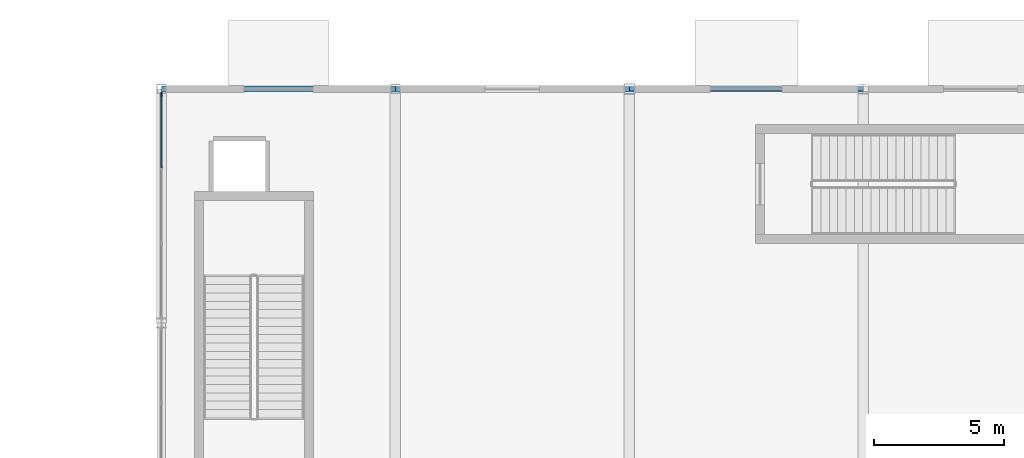
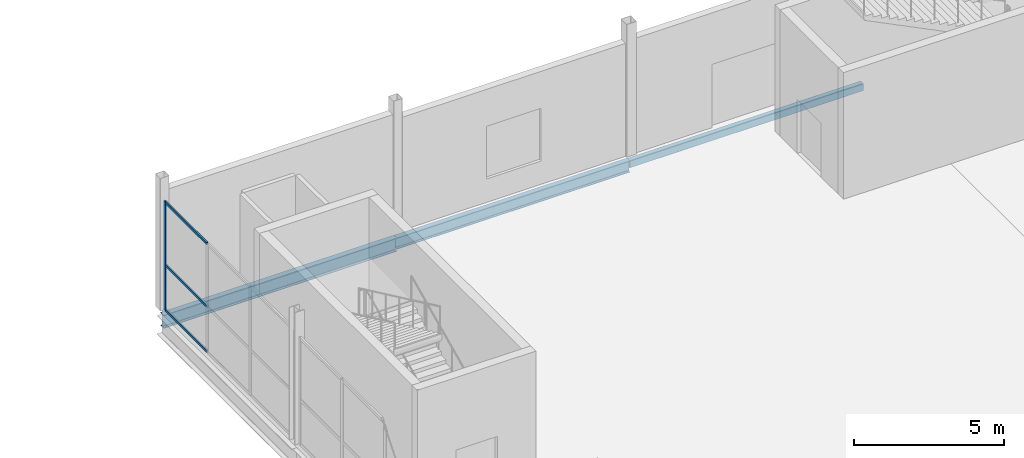
# One storey, part 41 of 94: 4 members, 3 beams, 1 element without a shape of its own.
"""IFC4 building model written with IfcOpenShell, lengths in metres."""

import ifcopenshell
import ifcopenshell.guid

model = None  # the IFC model being written
_history = None  # IfcOwnerHistory: only IFC2X3 demands one
_inside = {}  # id of a spatial element -> (the spatial element, [elements in it])
_under = {}  # id of a project, library or spatial element -> (it, [spatial elements below it])
_declared = {}  # id of a project -> (the project, [libraries it declares])
_typed = {}  # id of a type object -> (the type object, [elements of that type])
_made_of = {}  # id of a material, layer set ... -> (it, [elements and type objects made of it])


def new_model(schema):
    """Start an empty IFC model of exactly this schema.

    Asked for "IFC4X3", IfcOpenShell would pick the latest addendum, in which some entities
    have other attributes; the version numbers below select the first issue.
    IFC2X3 requires an IfcOwnerHistory on every rooted entity: one is made here for all.
    """
    global model, _history
    if schema == "IFC4X3":
        model = ifcopenshell.file(schema_version=(4, 3, 0, 0))
    else:
        model = ifcopenshell.file(schema=schema)
    _inside.clear()
    _under.clear()
    _declared.clear()
    _typed.clear()
    _made_of.clear()
    _history = None
    if model.schema == "IFC2X3":
        org = make("IfcOrganization", Name="unknown")
        user = make(
            "IfcPersonAndOrganization",
            ThePerson=make("IfcPerson", FamilyName="unknown"),
            TheOrganization=org,
        )
        app = make(
            "IfcApplication",
            ApplicationDeveloper=org,
            Version="unknown",
            ApplicationFullName="unknown",
            ApplicationIdentifier="unknown",
        )
        _history = make(
            "IfcOwnerHistory",
            OwningUser=user,
            OwningApplication=app,
            ChangeAction="ADDED",
            CreationDate=0,
        )
    return model


def make(cls, **values):
    """One entity of the class cls with the attributes given. An attribute that is None is left unset."""
    return model.create_entity(
        cls, **{name: value for name, value in values.items() if value is not None}
    )


def rooted(cls, **values):
    """An entity with a GlobalId (a new one), such as an element, a storey or a relation."""
    return make(cls, GlobalId=ifcopenshell.guid.new(), OwnerHistory=_history, **values)


def si_unit(unit_type, name, prefix=None):
    """IfcSIUnit, for example si_unit("LENGTHUNIT", "METRE", prefix="MILLI")."""
    return make("IfcSIUnit", UnitType=unit_type, Prefix=prefix, Name=name)


def assignment(units):
    """IfcUnitAssignment: the units of a project."""
    return None if units is None else make("IfcUnitAssignment", Units=units)


def point(xyz):
    """IfcCartesianPoint."""
    return None if xyz is None else make("IfcCartesianPoint", Coordinates=xyz)


def direction(xyz):
    """IfcDirection."""
    return None if xyz is None else make("IfcDirection", DirectionRatios=xyz)


def frame(location, z_axis=None, x_axis=None):
    """IfcAxis2Placement3D, a coordinate frame: its origin and axes. An axis left out is left unset."""
    return make(
        "IfcAxis2Placement3D",
        Location=point(location),
        Axis=direction(z_axis),
        RefDirection=direction(x_axis),
    )


def frame_2d(location, x_axis=None):
    """IfcAxis2Placement2D, a coordinate frame in the plane: its origin and x axis."""
    return make(
        "IfcAxis2Placement2D", Location=point(location), RefDirection=direction(x_axis)
    )


def origin():
    """The frame at (0, 0, 0) with its axes left unset."""
    return frame((0.0, 0.0, 0.0))


def origin_2d():
    """The frame at (0, 0) in the plane with its x axis left unset."""
    return frame_2d((0.0, 0.0))


def place(relative_to, where):
    """IfcLocalPlacement: puts the frame where relative to a parent placement (None: the world)."""
    return make(
        "IfcLocalPlacement", PlacementRelTo=relative_to, RelativePlacement=where
    )


def context(
    kind, dimensions, precision=None, world=None, true_north=None, identifier=None
):
    """IfcGeometricRepresentationContext, for example the 3D "Model" context."""
    return make(
        "IfcGeometricRepresentationContext",
        ContextIdentifier=identifier,
        ContextType=kind,
        CoordinateSpaceDimension=dimensions,
        Precision=precision,
        WorldCoordinateSystem=world,
        TrueNorth=true_north,
    )


def subcontext(parent, identifier, kind, view, scale=None):
    """IfcGeometricRepresentationSubContext, for example "Body" below "Model"."""
    return make(
        "IfcGeometricRepresentationSubContext",
        ContextIdentifier=identifier,
        ContextType=kind,
        ParentContext=parent,
        TargetScale=scale,
        TargetView=view,
    )


def project(units=None, contexts=None):
    """IfcProject with its units and contexts."""
    return rooted(
        "IfcProject",
        Name="project",
        RepresentationContexts=contexts,
        UnitsInContext=assignment(units),
    )


def spatial(cls, under=None, at=None, **own):
    """A site, building, storey or space (cls), placed at a placement, below another one or the project."""
    s = rooted(cls, ObjectPlacement=at, **own)
    if under is not None:
        _under.setdefault(under.id(), (under, []))[1].append(s)
    return s


def profile(cls, at=None, kind="AREA", **sizes):
    """A parametric profile (cls). Its sizes go by their IFC names, for example OverallWidth=200.0."""
    return make(cls, ProfileType=kind, Position=at, **sizes)


def rectangle(**sizes):
    """IfcRectangleProfileDef."""
    return profile("IfcRectangleProfileDef", **sizes)


def hollow_rectangle(**sizes):
    """IfcRectangleHollowProfileDef."""
    return profile("IfcRectangleHollowProfileDef", **sizes)


def i_section(**sizes):
    """IfcIShapeProfileDef."""
    return profile("IfcIShapeProfileDef", **sizes)


def extrude(swept, where, along, depth):
    """IfcExtrudedAreaSolid: the profile swept, set in the frame where, extruded along a direction by depth."""
    return make(
        "IfcExtrudedAreaSolid",
        SweptArea=swept,
        Position=where,
        ExtrudedDirection=direction(along),
        Depth=depth,
    )


def shape(context_of_items, identifier, shape_type, items):
    """IfcShapeRepresentation: the items that make up one representation, for example the "Body"."""
    return make(
        "IfcShapeRepresentation",
        ContextOfItems=context_of_items,
        RepresentationIdentifier=identifier,
        RepresentationType=shape_type,
        Items=items,
    )


def material(Name=None, Category=None):
    """IfcMaterial."""
    return make("IfcMaterial", Name=Name, Category=Category)


def layer(
    of_material, thickness, ventilated=None, Name=None, Category=None, Priority=None
):
    """IfcMaterialLayer: one layer of a wall or slab, of a material (None: an air gap)."""
    return make(
        "IfcMaterialLayer",
        Material=of_material,
        LayerThickness=thickness,
        IsVentilated=ventilated,
        Name=Name,
        Category=Category,
        Priority=Priority,
    )


def layer_set(layers, Name=None):
    """IfcMaterialLayerSet."""
    return make("IfcMaterialLayerSet", MaterialLayers=layers, LayerSetName=Name)


def material_profile(
    of_material, cross_section, Name=None, Category=None, Priority=None
):
    """IfcMaterialProfile: a cross section and its material."""
    return make(
        "IfcMaterialProfile",
        Name=Name,
        Material=of_material,
        Profile=cross_section,
        Priority=Priority,
        Category=Category,
    )


def profile_set(profiles, Name=None, composite=None):
    """IfcMaterialProfileSet."""
    return make(
        "IfcMaterialProfileSet",
        Name=Name,
        MaterialProfiles=profiles,
        CompositeProfile=composite,
    )


def made_of(thing, what):
    """Note that an element or type object is made of a material, layer set ...; save() writes the relation."""
    if what is not None:
        _made_of.setdefault(what.id(), (what, []))[1].append(thing)
    return thing


def type_object(cls, material=None, **own):
    """A type object (cls), such as IfcWallType, which elements share."""
    return made_of(rooted(cls, **own), material)


def element(
    cls,
    number,
    at=None,
    inside=None,
    cuts=None,
    type_object=None,
    material=None,
    context=None,
    identifier="Body",
    shape_type=None,
    held_by="IfcProductDefinitionShape",
    body=None,
    shapes=None,
    **own,
):
    """One element of the class cls, such as IfcWall. Its Tag is "e" and its number.

    at: its placement. inside: the storey or other place that contains it. cuts: it is an
    opening in that element (IfcRelVoidsElement). A single representation is given by context,
    identifier, shape_type and body (its items); several are given by shapes. held_by: the class
    of the entity that holds the representations. save() writes the other relations.
    """
    e = rooted(cls, Tag="e%d" % number, ObjectPlacement=at, **own)
    if body is not None:
        shapes = [shape(context, identifier, shape_type, body)]
    if shapes is not None:
        e.Representation = make(held_by, Representations=shapes)
    if inside is not None:
        _inside.setdefault(inside.id(), (inside, []))[1].append(e)
    if cuts is not None:
        rooted(
            "IfcRelVoidsElement", RelatingBuildingElement=cuts, RelatedOpeningElement=e
        )
    if type_object is not None:
        _typed.setdefault(type_object.id(), (type_object, []))[1].append(e)
    return made_of(e, material)


def aggregate(whole, parts):
    """IfcRelAggregates: a whole, such as a stair, and the parts it consists of."""
    return rooted("IfcRelAggregates", RelatingObject=whole, RelatedObjects=parts)


def save(model, path):
    """Write the relations noted so far, then the file.

    IfcRelAggregates (storeys below a building ...), IfcRelContainedInSpatialStructure (elements
    in a storey), IfcRelDefinesByType, IfcRelAssociatesMaterial and IfcRelDeclares: one each for
    every whole, place, type object, material and project.
    """
    for whole, parts in _under.values():
        aggregate(whole, parts)
    for where, things in _inside.values():
        rooted(
            "IfcRelContainedInSpatialStructure",
            RelatedElements=things,
            RelatingStructure=where,
        )
    for kind, things in _typed.values():
        rooted("IfcRelDefinesByType", RelatedObjects=things, RelatingType=kind)
    for what, things in _made_of.values():
        rooted("IfcRelAssociatesMaterial", RelatedObjects=things, RelatingMaterial=what)
    for by, libraries in _declared.values():
        rooted("IfcRelDeclares", RelatingContext=by, RelatedDefinitions=libraries)
    model.write(path)


model = new_model("IFC4")

# Units and contexts
model_context = context("Model", 3, precision=1e-05, world=origin(), true_north=direction((0.0, 1.0)))
body_context = subcontext(model_context, "Body", "Model", "MODEL_VIEW")
ifc_project = project(units=[si_unit("LENGTHUNIT", "METRE"), si_unit("AREAUNIT", "SQUARE_METRE"), si_unit("VOLUMEUNIT", "CUBIC_METRE"), si_unit("PLANEANGLEUNIT", "RADIAN"), si_unit("MASSUNIT", "GRAM", prefix="KILO")], contexts=[model_context])

# Site, building, storey
site_placement = place(None, origin())
site = spatial("IfcSite", under=ifc_project, at=site_placement, CompositionType="ELEMENT")
building_placement = place(site_placement, origin())
building = spatial("IfcBuilding", under=site, at=building_placement, Name="Qamarlyn Nura Convention Centre", CompositionType="ELEMENT")
storey_placement = place(building_placement, origin())
storey = spatial("IfcBuildingStorey", under=building, at=storey_placement, Name="L00", CompositionType="ELEMENT", Elevation=0.0)

# Beams
ifc_material_1 = material(Name="Steel ASTM A992", Category="steel")
ifc_material_profile_1 = material_profile(ifc_material_1, i_section(OverallWidth=0.193115234375, OverallDepth=0.466064453125, WebThickness=0.011474609375, FlangeThickness=0.01904296875, FilletRadius=0.012939453125, at=origin_2d()), Name="W460X97")
ifc_profile_set_1 = profile_set([ifc_material_profile_1], Name="Steel ASTM A992")
beam_type_1 = type_object("IfcBeamType", Name="BM-SPAN-460", PredefinedType="SPANDREL", material=ifc_profile_set_1)
beam_1_placement = place(storey_placement, frame((153.0, 126.0, -0.512939453125), z_axis=(1.0, 0.0, 0.0), x_axis=(0.0, 1.0, 0.0)))
element("IfcBeam", 1, at=beam_1_placement, inside=storey, type_object=beam_type_1, Name="L00 girder Q 13-14", PredefinedType="SPANDREL", context=body_context, shape_type="SweptSolid", body=[
    extrude(i_section(OverallWidth=0.193115234375, OverallDepth=0.466064453125, WebThickness=0.011474609375, FlangeThickness=0.01904296875, FilletRadius=0.012939453125, at=origin_2d()), origin(), (0.0, 0.0, 1.0), 9.0),
])
ifc_material_profile_2 = material_profile(ifc_material_1, i_section(OverallWidth=0.2109375, OverallDepth=0.5390625, WebThickness=0.01171875, FlangeThickness=0.018798828125, FilletRadius=0.013916015625, at=origin_2d()), Name="W530X109")
ifc_profile_set_2 = profile_set([ifc_material_profile_2], Name="Steel ASTM A992")
beam_type_2 = type_object("IfcBeamType", Name="BM-SPAN-530", PredefinedType="SPANDREL", material=ifc_profile_set_2)
beam_2_placement = place(storey_placement, frame((144.0, 126.0, -0.549560546875), z_axis=(1.0, 0.0, 0.0), x_axis=(0.0, 1.0, 0.0)))
element("IfcBeam", 2, at=beam_2_placement, inside=storey, type_object=beam_type_2, Name="L00 girder Q 12-13", PredefinedType="SPANDREL", context=body_context, shape_type="SweptSolid", body=[
    extrude(i_section(OverallWidth=0.2109375, OverallDepth=0.5390625, WebThickness=0.01171875, FlangeThickness=0.018798828125, FilletRadius=0.013916015625, at=origin_2d()), origin(), (0.0, 0.0, 1.0), 9.0),
])
ifc_material_2 = material(Name="Steel ASTM A500 Grade C", Category="steel")
ifc_material_profile_3 = material_profile(ifc_material_2, hollow_rectangle(XDim=0.199951171875, YDim=0.300048828125, WallThickness=0.012451171875, InnerFilletRadius=0.012451171875, OuterFilletRadius=0.02490234375, at=origin_2d()), Name="HSS300X200X12.5")
ifc_profile_set_3 = profile_set([ifc_material_profile_3], Name="Steel ASTM A500 Grade C")
beam_type_3 = type_object("IfcBeamType", Name="BM-SPAN-HSS", PredefinedType="SPANDREL", material=ifc_profile_set_3)
beam_3_placement = place(storey_placement, frame((162.0, 126.0, -0.429931640625), z_axis=(1.0, 0.0, 0.0), x_axis=(0.0, 1.0, 0.0)))
element("IfcBeam", 3, at=beam_3_placement, inside=storey, type_object=beam_type_3, Name="L00 girder Q 14-15", PredefinedType="SPANDREL", context=body_context, shape_type="SweptSolid", body=[
    extrude(hollow_rectangle(XDim=0.199951171875, YDim=0.300048828125, WallThickness=0.012451171875, InnerFilletRadius=0.012451171875, OuterFilletRadius=0.02490234375, at=origin_2d()), origin(), (0.0, 0.0, 1.0), 9.0),
])

# Curtain wall, members
ifc_material_3 = material(Name="Double-silver low-E insulated glass", Category="glass")
ifc_layer = layer(ifc_material_3, 0.179931640625, Name="CW-UNIT-65")
ifc_layer_set = layer_set([ifc_layer], Name="Double-silver low-E insulated glass")
curtain_wall_type = type_object("IfcCurtainWallType", Name="CW-UNIT-65", PredefinedType="NOTDEFINED", material=ifc_layer_set)
curtain_wall_placement = place(storey_placement, origin())
curtain_wall = element("IfcCurtainWall", 4, at=curtain_wall_placement, inside=storey, type_object=curtain_wall_type, Name="L00 unitised curtain wall PLW-117-1", PredefinedType="NOTDEFINED")
ifc_material_4 = material(Name="Champagne-anodised marine aluminium", Category="aluminium")
ifc_material_profile_4 = material_profile(ifc_material_4, rectangle(XDim=0.06005859375, YDim=0.139892578125, at=origin_2d()), Name="ALU MULLION 60x140")
ifc_profile_set_4 = profile_set([ifc_material_profile_4], Name="Champagne-anodised marine aluminium")
member_type_1 = type_object("IfcMemberType", Name="CWM-140", PredefinedType="MULLION", material=ifc_profile_set_4)
member_1_placement = place(storey_placement, frame((144.0, 125.794921875, 0.0), z_axis=(0.0, 0.0, 1.0), x_axis=(-1.0, 0.0, 0.0)))
member_1 = element("IfcMember", 5, at=member_1_placement, type_object=member_type_1, Name="CW65 mullion 4", PredefinedType="MULLION", context=body_context, shape_type="SweptSolid", body=[
    extrude(rectangle(XDim=0.06005859375, YDim=0.139892578125, at=origin_2d()), origin(), (0.0, 0.0, 1.0), 4.449951171875),
])
ifc_material_profile_5 = material_profile(ifc_material_4, rectangle(XDim=0.06005859375, YDim=0.10009765625, at=origin_2d()), Name="ALU TRANSOM 60x100")
ifc_profile_set_5 = profile_set([ifc_material_profile_5], Name="Champagne-anodised marine aluminium")
member_type_2 = type_object("IfcMemberType", Name="CWT-100", PredefinedType="USERDEFINED", material=ifc_profile_set_5)
member_2_placement = place(storey_placement, frame((144.0, 122.975341796875, 0.030029296875), z_axis=(0.0, 1.0, 0.0), x_axis=(-1.0, 0.0, 0.0)))
member_2 = element("IfcMember", 6, at=member_2_placement, type_object=member_type_2, Name="CW65 transom 3.1", ObjectType="TRANSOM", PredefinedType="USERDEFINED", context=body_context, shape_type="SweptSolid", body=[
    extrude(rectangle(XDim=0.06005859375, YDim=0.10009765625, at=origin_2d()), origin(), (0.0, 0.0, 1.0), 2.78955078125),
])
member_3_placement = place(storey_placement, frame((144.0, 122.975341796875, 1.868896484375), z_axis=(0.0, 1.0, 0.0), x_axis=(-1.0, 0.0, 0.0)))
member_3 = element("IfcMember", 7, at=member_3_placement, type_object=member_type_2, Name="CW65 transom 3.2", ObjectType="TRANSOM", PredefinedType="USERDEFINED", context=body_context, shape_type="SweptSolid", body=[
    extrude(rectangle(XDim=0.06005859375, YDim=0.10009765625, at=origin_2d()), origin(), (0.0, 0.0, 1.0), 2.78955078125),
])
member_4_placement = place(storey_placement, frame((144.0, 122.975341796875, 4.419921875), z_axis=(0.0, 1.0, 0.0), x_axis=(-1.0, 0.0, 0.0)))
member_4 = element("IfcMember", 8, at=member_4_placement, type_object=member_type_2, Name="CW65 transom 3.3", ObjectType="TRANSOM", PredefinedType="USERDEFINED", context=body_context, shape_type="SweptSolid", body=[
    extrude(rectangle(XDim=0.06005859375, YDim=0.10009765625, at=origin_2d()), origin(), (0.0, 0.0, 1.0), 2.78955078125),
])
aggregate(curtain_wall, [member_1, member_2, member_3, member_4])

save(model, "model.ifc")
